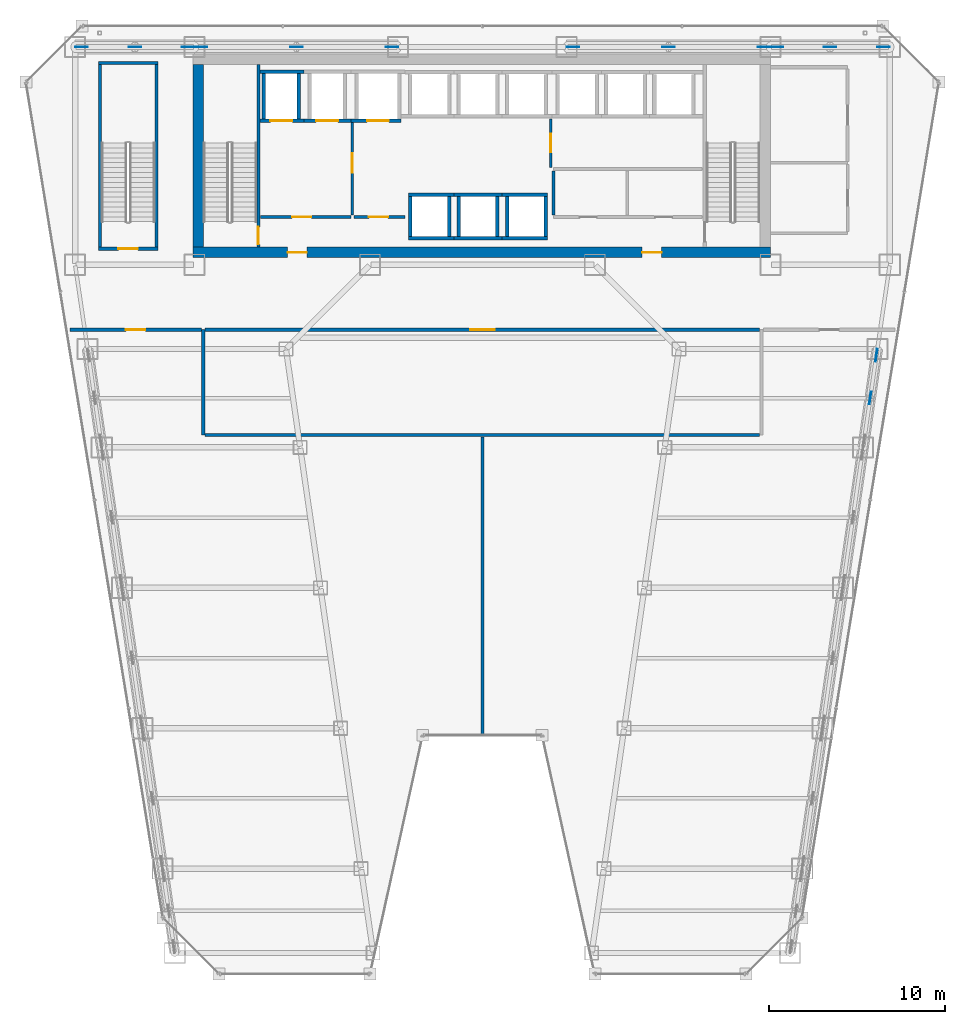
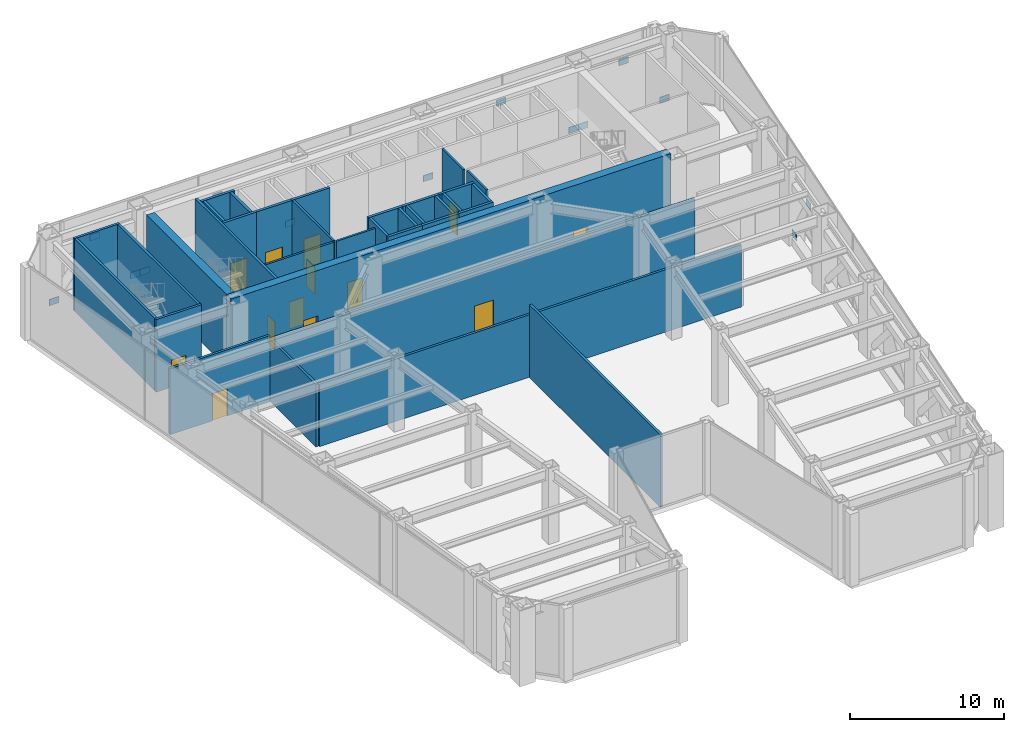
# One storey, part 30 of 35: 35 walls, 14 plates, 13 doors, 13 openings.
"""IFC4 building model written with IfcOpenShell, lengths in metres."""

from ifc_helpers import new_model, si_unit, direction, frame, frame_2d, origin, origin_2d, place, context, subcontext, project, spatial, rectangle, extrude, material, layer, layer_set, type_object, element, fill, save


model = new_model("IFC4")

# Units and contexts
model_context = context("Model", 3, precision=1e-05, world=origin(), true_north=direction((0.0, 1.0)))
body_context = subcontext(model_context, "Body", "Model", "MODEL_VIEW")
ifc_project = project(units=[si_unit("LENGTHUNIT", "METRE"), si_unit("AREAUNIT", "SQUARE_METRE"), si_unit("VOLUMEUNIT", "CUBIC_METRE"), si_unit("PLANEANGLEUNIT", "RADIAN"), si_unit("MASSUNIT", "GRAM", prefix="KILO")], contexts=[model_context])

# Site, building, storey
site_placement = place(None, origin())
site = spatial("IfcSite", under=ifc_project, at=site_placement, CompositionType="ELEMENT")
building_placement = place(site_placement, origin())
building = spatial("IfcBuilding", under=site, at=building_placement, Name="Saevonmaru Cultural Tower", CompositionType="ELEMENT")
storey_placement = place(building_placement, frame((0.0, 0.0, 86.800048828125)))
storey = spatial("IfcBuildingStorey", under=building, at=storey_placement, Name="L18", CompositionType="ELEMENT", Elevation=86.800048828125)

# Plates
ifc_material_1 = material(Name="Steel HSA600 (600 MPa)", Category="steel")
ifc_layer_1 = layer(ifc_material_1, 0.044921875, Name="Steel HSA600 (600 MPa)")
ifc_layer_set_1 = layer_set([ifc_layer_1], Name="Steel HSA600 (600 MPa)")
plate_type_1 = type_object("IfcPlateType", Name="PL-GUSSET-BELT", PredefinedType="USERDEFINED", material=ifc_layer_set_1)
for number, where, z_axis, x_axis, name in (
    (1, (52.44091796875, 37.243896484375, 0.300048828125), (0.0, 0.0, 1.0), (0.142974422091, 0.989726383718, 0.0), "L18 Truss Base Gusset Plate BE5-2"),
    (2, (52.0869140625, 34.800048828125, 4.349853515625), (0.0, 0.0, 1.0), (0.142974422091, 0.989726383718, 0.0), "L18 Truss Node Gusset Plate BE5"),
):
    element("IfcPlate", number, at=place(storey_placement, frame(where, z_axis=z_axis, x_axis=x_axis)), inside=storey, type_object=plate_type_1, Name=name, ObjectType="GUSSET_PLATE", PredefinedType="USERDEFINED", context=body_context, shape_type="SweptSolid", body=[
        extrude(rectangle(XDim=0.719970703125, YDim=0.044921875, at=origin_2d()), origin(), (0.0, 0.0, 1.0), 0.5),
    ])
ifc_layer_2 = layer(ifc_material_1, 0.044921875, Name="Steel HSA600 (600 MPa)")
ifc_layer_set_2 = layer_set([ifc_layer_2], Name="Steel HSA600 (600 MPa)")
plate_type_2 = type_object("IfcPlateType", Name="PL-GUSSET-INT", PredefinedType="USERDEFINED", material=ifc_layer_set_2)
for number, where, z_axis, x_axis, name in (
    (3, (13.9599609375, 54.800048828125, 0.300048828125), (0.0, 0.0, 1.0), (1.0, 0.0, 0.0), "L18 Truss Base Gusset Plate OW1-1"),
    (4, (24.840087890625, 54.800048828125, 0.300048828125), (0.0, 0.0, 1.0), (1.0, 0.0, 0.0), "L18 Truss Base Gusset Plate OW1-2"),
    (5, (19.39990234375, 54.800048828125, 4.349853515625), (0.0, 0.0, 1.0), (1.0, 0.0, 0.0), "L18 Truss Node Gusset Plate OW1"),
    (6, (35.159912109375, 54.800048828125, 0.300048828125), (0.0, 0.0, 1.0), (1.0, 0.0, 0.0), "L18 Truss Base Gusset Plate OE1-1"),
    (7, (46.0400390625, 54.800048828125, 0.300048828125), (0.0, 0.0, 1.0), (1.0, 0.0, 0.0), "L18 Truss Base Gusset Plate OE1-2"),
    (8, (40.60009765625, 54.800048828125, 4.349853515625), (0.0, 0.0, 1.0), (1.0, 0.0, 0.0), "L18 Truss Node Gusset Plate OE1"),
    (9, (7.159912109375, 54.800048828125, 0.300048828125), (0.0, 0.0, 1.0), (1.0, 0.0, 0.0), "L18 Truss Base Gusset Plate OW2-1"),
    (10, (13.239990234375, 54.800048828125, 0.300048828125), (0.0, 0.0, 1.0), (1.0, 0.0, 0.0), "L18 Truss Base Gusset Plate OW2-2"),
    (11, (10.199951171875, 54.800048828125, 4.349853515625), (0.0, 0.0, 1.0), (1.0, 0.0, 0.0), "L18 Truss Node Gusset Plate OW2"),
    (12, (46.760009765625, 54.800048828125, 0.300048828125), (0.0, 0.0, 1.0), (1.0, 0.0, 0.0), "L18 Truss Base Gusset Plate OE2-1"),
    (13, (52.840087890625, 54.800048828125, 0.300048828125), (0.0, 0.0, 1.0), (1.0, 0.0, 0.0), "L18 Truss Base Gusset Plate OE2-2"),
    (14, (49.800048828125, 54.800048828125, 4.349853515625), (0.0, 0.0, 1.0), (1.0, 0.0, 0.0), "L18 Truss Node Gusset Plate OE2"),
):
    element("IfcPlate", number, at=place(storey_placement, frame(where, z_axis=z_axis, x_axis=x_axis)), inside=storey, type_object=plate_type_2, Name=name, ObjectType="GUSSET_PLATE", PredefinedType="USERDEFINED", context=body_context, shape_type="SweptSolid", body=[
        extrude(rectangle(XDim=0.719970703125, YDim=0.044921875, at=origin_2d()), origin(), (0.0, 0.0, 1.0), 0.5),
    ])

# Wall, openings, doors
ifc_material_2 = material(Name="Concrete C60/75", Category="concrete")
ifc_layer_3 = layer(ifc_material_2, 0.60009765625, Name="Concrete C60/75")
ifc_layer_set_3 = layer_set([ifc_layer_3], Name="Concrete C60/75")
wall_type_1 = type_object("IfcWallType", Name="WL-CORE-600", PredefinedType="SHEAR", material=ifc_layer_set_3)
wall_1_placement = place(storey_placement, frame((13.5, 43.10009765625, 0.0), z_axis=(0.0, 0.0, 1.0), x_axis=(1.0, 0.0, 0.0)))
wall_1 = element("IfcWall", 15, at=wall_1_placement, inside=storey, type_object=wall_type_1, Name="L18 Tower RC core shear wall S", PredefinedType="SHEAR", context=body_context, shape_type="SweptSolid", body=[
    extrude(rectangle(XDim=32.89990234375, YDim=0.60009765625, at=frame_2d((16.449951171875, 0.0))), origin(), (0.0, 0.0, 1.0), 5.75),
])
opening_1_placement = place(wall_1_placement, frame((5.39990234375, 0.0, 0.0)))
opening_1 = element("IfcOpeningElement", 16, at=opening_1_placement, cuts=wall_1, Name="Opening FD-2", PredefinedType="OPENING", context=body_context, shape_type="SweptSolid", body=[
    extrude(rectangle(XDim=1.10009765625, YDim=2.14990234375, at=frame_2d((0.550048828125, 1.074951171875))), frame((0.0, 0.31005859375, 0.0), z_axis=(0.0, -1.0, 0.0), x_axis=(1.0, 0.0, 0.0)), (0.0, 0.0, 1.0), 0.6201171875),
])
opening_2_placement = place(wall_1_placement, frame((25.60009765625, 0.0, 0.0)))
opening_2 = element("IfcOpeningElement", 17, at=opening_2_placement, cuts=wall_1, Name="Opening FD-2", PredefinedType="OPENING", context=body_context, shape_type="SweptSolid", body=[
    extrude(rectangle(XDim=1.10009765625, YDim=2.14990234375, at=frame_2d((0.550048828125, 1.074951171875))), frame((0.0, 0.31005859375, 0.0), z_axis=(0.0, -1.0, 0.0), x_axis=(1.0, 0.0, 0.0)), (0.0, 0.0, 1.0), 0.6201171875),
])
ifc_material_3 = material(Name="Satin Bronze Anodised Aluminium", Category="aluminium")
door_type_1 = type_object("IfcDoorType", Name="DR-FD60-1100", OperationType="SINGLE_SWING_LEFT", PredefinedType="DOOR", material=ifc_material_3)
door_1_placement = place(opening_1_placement, origin())
door_1 = element("IfcDoor", 18, at=door_1_placement, inside=storey, type_object=door_type_1, Name="L18 Core West Lobby Fire Door", OperationType="SINGLE_SWING_LEFT", OverallHeight=2.14990234375, OverallWidth=1.10009765625, PredefinedType="DOOR", context=body_context, shape_type="SweptSolid", body=[
    extrude(rectangle(XDim=1.10009765625, YDim=2.14990234375, at=frame_2d((0.550048828125, 1.074951171875))), frame((0.0, 0.02490234375, 0.0), z_axis=(0.0, -1.0, 0.0), x_axis=(1.0, 0.0, 0.0)), (0.0, 0.0, 1.0), 0.050048828125),
])
fill(opening_1, door_1)
door_2_placement = place(opening_2_placement, origin())
door_2 = element("IfcDoor", 19, at=door_2_placement, inside=storey, type_object=door_type_1, Name="L18 Core East Lobby Fire Door", OperationType="SINGLE_SWING_LEFT", OverallHeight=2.14990234375, OverallWidth=1.10009765625, PredefinedType="DOOR", context=body_context, shape_type="SweptSolid", body=[
    extrude(rectangle(XDim=1.10009765625, YDim=2.14990234375, at=frame_2d((0.550048828125, 1.074951171875))), frame((0.0, 0.02490234375, 0.0), z_axis=(0.0, -1.0, 0.0), x_axis=(1.0, 0.0, 0.0)), (0.0, 0.0, 1.0), 0.050048828125),
])
fill(opening_2, door_2)

# Wall
wall_2_placement = place(storey_placement, frame((13.800048828125, 43.39990234375, 0.0), z_axis=(0.0, 0.0, 1.0), x_axis=(0.0, 1.0, 0.0)))
element("IfcWall", 20, at=wall_2_placement, inside=storey, type_object=wall_type_1, Name="L18 Tower RC core shear wall W", PredefinedType="SHEAR", context=body_context, shape_type="SweptSolid", body=[
    extrude(rectangle(XDim=10.400146484375, YDim=0.60009765625, at=frame_2d((5.2001953125, 0.0))), origin(), (0.0, 0.0, 1.0), 5.75),
])

# Wall, opening, door
ifc_material_4 = material(Name="Gypsum Fireboard Partition", Category="gypsum")
ifc_layer_4 = layer(ifc_material_4, 0.14990234375, Name="Gypsum Fireboard Partition")
ifc_layer_set_4 = layer_set([ifc_layer_4], Name="Gypsum Fireboard Partition")
wall_type_2 = type_object("IfcWallType", Name="WL-CORE-PART-150", PredefinedType="PARTITIONING", material=ifc_layer_set_4)
wall_3_placement = place(storey_placement, frame((17.360107421875, 45.1201171875, 0.0), z_axis=(0.0, 0.0, 1.0), x_axis=(1.0, 0.0, 0.0)))
wall_3 = element("IfcWall", 21, at=wall_3_placement, inside=storey, type_object=wall_type_2, Name="L18 Firefighting Lift Lobby South Wall", PredefinedType="PARTITIONING", context=body_context, shape_type="SweptSolid", body=[
    extrude(rectangle(XDim=5.139892578125, YDim=0.14990234375, at=frame_2d((2.56982421875, 0.0))), origin(), (0.0, 0.0, 1.0), 5.75),
])
opening_3_placement = place(wall_3_placement, frame((1.800048828125, 0.0, 0.0)))
opening_3 = element("IfcOpeningElement", 22, at=opening_3_placement, cuts=wall_3, Name="Opening FD-2", PredefinedType="OPENING", context=body_context, shape_type="SweptSolid", body=[
    extrude(rectangle(XDim=1.10009765625, YDim=2.14990234375, at=frame_2d((0.550048828125, 1.074951171875))), frame((0.0, 0.0849609375, 0.0), z_axis=(0.0, -1.0, 0.0), x_axis=(1.0, 0.0, 0.0)), (0.0, 0.0, 1.0), 0.169921875),
])
door_3_placement = place(opening_3_placement, origin())
door_3 = element("IfcDoor", 23, at=door_3_placement, inside=storey, type_object=door_type_1, Name="L18 Firefighting Lift Lobby South Door", OperationType="SINGLE_SWING_LEFT", OverallHeight=2.14990234375, OverallWidth=1.10009765625, PredefinedType="DOOR", context=body_context, shape_type="SweptSolid", body=[
    extrude(rectangle(XDim=1.10009765625, YDim=2.14990234375, at=frame_2d((0.550048828125, 1.074951171875))), frame((0.0, 0.02490234375, 0.0), z_axis=(0.0, -1.0, 0.0), x_axis=(1.0, 0.0, 0.0)), (0.0, 0.0, 1.0), 0.050048828125),
])
fill(opening_3, door_3)

wall_4_placement = place(storey_placement, frame((22.580078125, 50.550048828125, 0.0), z_axis=(0.0, 0.0, 1.0), x_axis=(0.0, -1.0, 0.0)))
wall_4 = element("IfcWall", 24, at=wall_4_placement, inside=storey, type_object=wall_type_2, Name="L18 Firefighting Lift Lobby East Wall", PredefinedType="PARTITIONING", context=body_context, shape_type="SweptSolid", body=[
    extrude(rectangle(XDim=5.330078125, YDim=0.14990234375, at=frame_2d((2.6650390625, 0.0))), origin(), (0.0, 0.0, 1.0), 5.75),
])
opening_4_placement = place(wall_4_placement, frame((1.800048828125, 0.0, 0.0)))
opening_4 = element("IfcOpeningElement", 25, at=opening_4_placement, cuts=wall_4, Name="Opening FD-2", PredefinedType="OPENING", context=body_context, shape_type="SweptSolid", body=[
    extrude(rectangle(XDim=1.10009765625, YDim=2.14990234375, at=frame_2d((0.550048828125, 1.074951171875))), frame((0.0, 0.0849609375, 0.0), z_axis=(0.0, -1.0, 0.0), x_axis=(1.0, 0.0, 0.0)), (0.0, 0.0, 1.0), 0.169921875),
])
door_4_placement = place(opening_4_placement, origin())
door_4 = element("IfcDoor", 26, at=door_4_placement, inside=storey, type_object=door_type_1, Name="L18 Firefighting Lift Lobby East Door", OperationType="SINGLE_SWING_LEFT", OverallHeight=2.14990234375, OverallWidth=1.10009765625, PredefinedType="DOOR", context=body_context, shape_type="SweptSolid", body=[
    extrude(rectangle(XDim=1.10009765625, YDim=2.14990234375, at=frame_2d((0.550048828125, 1.074951171875))), frame((0.0, 0.02490234375, 0.0), z_axis=(0.0, -1.0, 0.0), x_axis=(1.0, 0.0, 0.0)), (0.0, 0.0, 1.0), 0.050048828125),
])
fill(opening_4, door_4)

wall_5_placement = place(storey_placement, frame((22.679931640625, 45.1201171875, 0.0), z_axis=(0.0, 0.0, 1.0), x_axis=(1.0, 0.0, 0.0)))
wall_5 = element("IfcWall", 27, at=wall_5_placement, inside=storey, type_object=wall_type_2, Name="L18 Service Lift Vestibule Wall", PredefinedType="PARTITIONING", context=body_context, shape_type="SweptSolid", body=[
    extrude(rectangle(XDim=2.920166015625, YDim=0.14990234375, at=frame_2d((1.4599609375, 0.0))), origin(), (0.0, 0.0, 1.0), 5.75),
])
opening_5_placement = place(wall_5_placement, frame((0.85009765625, 0.0, 0.0)))
opening_5 = element("IfcOpeningElement", 28, at=opening_5_placement, cuts=wall_5, Name="Opening FD-2", PredefinedType="OPENING", context=body_context, shape_type="SweptSolid", body=[
    extrude(rectangle(XDim=1.10009765625, YDim=2.14990234375, at=frame_2d((0.550048828125, 1.074951171875))), frame((0.0, 0.0849609375, 0.0), z_axis=(0.0, -1.0, 0.0), x_axis=(1.0, 0.0, 0.0)), (0.0, 0.0, 1.0), 0.169921875),
])
door_5_placement = place(opening_5_placement, origin())
door_5 = element("IfcDoor", 29, at=door_5_placement, inside=storey, type_object=door_type_1, Name="L18 Service Lift Vestibule Door", OperationType="SINGLE_SWING_LEFT", OverallHeight=2.14990234375, OverallWidth=1.10009765625, PredefinedType="DOOR", context=body_context, shape_type="SweptSolid", body=[
    extrude(rectangle(XDim=1.10009765625, YDim=2.14990234375, at=frame_2d((0.550048828125, 1.074951171875))), frame((0.0, 0.02490234375, 0.0), z_axis=(0.0, -1.0, 0.0), x_axis=(1.0, 0.0, 0.0)), (0.0, 0.0, 1.0), 0.050048828125),
])
fill(opening_5, door_5)

wall_6_placement = place(storey_placement, frame((33.89990234375, 47.949951171875, 0.0), z_axis=(0.0, 0.0, 1.0), x_axis=(0.0, 1.0, 0.0)))
wall_6 = element("IfcWall", 30, at=wall_6_placement, inside=storey, type_object=wall_type_2, Name="L18 Zone Lobby Divider", PredefinedType="PARTITIONING", context=body_context, shape_type="SweptSolid", body=[
    extrude(rectangle(XDim=2.75, YDim=0.14990234375, at=frame_2d((1.375, 0.0))), origin(), (0.0, 0.0, 1.0), 5.75),
])
opening_6_placement = place(wall_6_placement, frame((0.85009765625, 0.0, 0.0)))
opening_6 = element("IfcOpeningElement", 31, at=opening_6_placement, cuts=wall_6, Name="Opening ID-1", PredefinedType="OPENING", context=body_context, shape_type="SweptSolid", body=[
    extrude(rectangle(XDim=1.050048828125, YDim=2.14990234375, at=frame_2d((0.52490234375, 1.074951171875))), frame((0.0, 0.0849609375, 0.0), z_axis=(0.0, -1.0, 0.0), x_axis=(1.0, 0.0, 0.0)), (0.0, 0.0, 1.0), 0.169921875),
])
door_type_2 = type_object("IfcDoorType", Name="DR-INT-1050", OperationType="SINGLE_SWING_LEFT", PredefinedType="DOOR", material=ifc_material_3)
door_6_placement = place(opening_6_placement, origin())
door_6 = element("IfcDoor", 32, at=door_6_placement, inside=storey, type_object=door_type_2, Name="L18 Inter-Lobby Link Door", OperationType="SINGLE_SWING_LEFT", OverallHeight=2.14990234375, OverallWidth=1.050048828125, PredefinedType="DOOR", context=body_context, shape_type="SweptSolid", body=[
    extrude(rectangle(XDim=1.050048828125, YDim=2.14990234375, at=frame_2d((0.52490234375, 1.074951171875))), frame((0.0, 0.02490234375, 0.0), z_axis=(0.0, -1.0, 0.0), x_axis=(1.0, 0.0, 0.0)), (0.0, 0.0, 1.0), 0.050048828125),
])
fill(opening_6, door_6)

# Walls
wall_7_placement = place(storey_placement, frame((34.050048828125, 45.219970703125, 0.0), z_axis=(0.0, 0.0, 1.0), x_axis=(0.0, 1.0, 0.0)))
element("IfcWall", 33, at=wall_7_placement, inside=storey, type_object=wall_type_2, Name="L18 Core Plant West Wall", PredefinedType="PARTITIONING", context=body_context, shape_type="SweptSolid", body=[
    extrude(rectangle(XDim=2.530029296875, YDim=0.14990234375, at=frame_2d((1.26513671875, 0.0))), origin(), (0.0, 0.0, 1.0), 5.75),
])
ifc_layer_5 = layer(ifc_material_4, 0.179931640625, Name="Gypsum Fireboard Partition")
ifc_layer_set_5 = layer_set([ifc_layer_5], Name="Gypsum Fireboard Partition")
wall_type_3 = type_object("IfcWallType", Name="WL-PART-PLANT-180", PredefinedType="PARTITIONING", material=ifc_layer_set_5)
wall_8_placement = place(storey_placement, frame((14.10009765625, 32.699951171875, 0.0), z_axis=(0.0, 0.0, 1.0), x_axis=(0.0, 1.0, 0.0)))
element("IfcWall", 34, at=wall_8_placement, inside=storey, type_object=wall_type_3, Name="L18 Main Refuge West Wall", PredefinedType="PARTITIONING", context=body_context, shape_type="SweptSolid", body=[
    extrude(rectangle(XDim=6.0, YDim=0.179931640625, at=frame_2d((3.0, 0.0))), origin(), (0.0, 0.0, 1.0), 4.93505859375),
])
wall_9_placement = place(storey_placement, frame((14.2099609375, 32.699951171875, 0.0), z_axis=(0.0, 0.0, 1.0), x_axis=(1.0, 0.0, 0.0)))
element("IfcWall", 35, at=wall_9_placement, inside=storey, type_object=wall_type_3, Name="L18 Main Refuge South Wall", PredefinedType="PARTITIONING", context=body_context, shape_type="SweptSolid", body=[
    extrude(rectangle(XDim=31.580078125, YDim=0.179931640625, at=frame_2d((15.7900390625, 0.0))), origin(), (0.0, 0.0, 1.0), 4.93505859375),
])

# Wall, opening, door
wall_10_placement = place(storey_placement, frame((14.2099609375, 38.699951171875, 0.0), z_axis=(0.0, 0.0, 1.0), x_axis=(1.0, 0.0, 0.0)))
wall_10 = element("IfcWall", 36, at=wall_10_placement, inside=storey, type_object=wall_type_3, Name="L18 Main Refuge Promenade Wall", PredefinedType="PARTITIONING", context=body_context, shape_type="SweptSolid", body=[
    extrude(rectangle(XDim=31.580078125, YDim=0.179931640625, at=frame_2d((15.7900390625, 0.0))), origin(), (0.0, 0.0, 1.0), 4.93505859375),
])
opening_7_placement = place(wall_10_placement, frame((15.090087890625, 0.0, 0.0)))
opening_7 = element("IfcOpeningElement", 37, at=opening_7_placement, cuts=wall_10, Name="Opening FD-0", PredefinedType="OPENING", context=body_context, shape_type="SweptSolid", body=[
    extrude(rectangle(XDim=1.39990234375, YDim=2.199951171875, at=frame_2d((0.699951171875, 1.10009765625))), frame((0.0, 0.10009765625, 0.0), z_axis=(0.0, -1.0, 0.0), x_axis=(1.0, 0.0, 0.0)), (0.0, 0.0, 1.0), 0.199951171875),
])
door_type_3 = type_object("IfcDoorType", Name="DR-FD60-1400", OperationType="DOUBLE_DOOR_SINGLE_SWING", PredefinedType="DOOR", material=ifc_material_3)
door_7_placement = place(opening_7_placement, origin())
door_7 = element("IfcDoor", 38, at=door_7_placement, inside=storey, type_object=door_type_3, Name="L18 Main Fire Safety Refuge Hall Door", OperationType="DOUBLE_DOOR_SINGLE_SWING", OverallHeight=2.199951171875, OverallWidth=1.39990234375, PredefinedType="DOOR", context=body_context, shape_type="SweptSolid", body=[
    extrude(rectangle(XDim=1.39990234375, YDim=2.199951171875, at=frame_2d((0.699951171875, 1.10009765625))), frame((0.0, 0.02490234375, 0.0), z_axis=(0.0, -1.0, 0.0), x_axis=(1.0, 0.0, 0.0)), (0.0, 0.0, 1.0), 0.050048828125),
])
fill(opening_7, door_7)

# Wall
wall_11_placement = place(storey_placement, frame((30.0, 15.60498046875, 0.0), z_axis=(0.0, 0.0, 1.0), x_axis=(0.0, 1.0, 0.0)))
element("IfcWall", 39, at=wall_11_placement, inside=storey, type_object=wall_type_3, Name="L18 Plant Compartment Split", PredefinedType="PARTITIONING", context=body_context, shape_type="SweptSolid", body=[
    extrude(rectangle(XDim=16.985107421875, YDim=0.179931640625, at=frame_2d((8.49267578125, 0.0))), origin(), (0.0, 0.0, 1.0), 5.75),
])

# Wall, opening, door
wall_12_placement = place(storey_placement, frame((6.498779296875, 38.699951171875, 0.0), z_axis=(0.0, 0.0, 1.0), x_axis=(1.0, 0.0, 0.0)))
wall_12 = element("IfcWall", 40, at=wall_12_placement, inside=storey, type_object=wall_type_3, Name="L18 West AHU Plant North Wall", PredefinedType="PARTITIONING", context=body_context, shape_type="SweptSolid", body=[
    extrude(rectangle(XDim=7.4912109375, YDim=0.179931640625, at=frame_2d((3.74560546875, 0.0))), origin(), (0.0, 0.0, 1.0), 5.23486328125),
])
opening_8_placement = place(wall_12_placement, frame((3.196044921875, 0.0, 0.0)))
opening_8 = element("IfcOpeningElement", 41, at=opening_8_placement, cuts=wall_12, Name="Opening FD-2", PredefinedType="OPENING", context=body_context, shape_type="SweptSolid", body=[
    extrude(rectangle(XDim=1.10009765625, YDim=2.14990234375, at=frame_2d((0.550048828125, 1.074951171875))), frame((0.0, 0.10009765625, 0.0), z_axis=(0.0, -1.0, 0.0), x_axis=(1.0, 0.0, 0.0)), (0.0, 0.0, 1.0), 0.199951171875),
])
door_8_placement = place(opening_8_placement, origin())
door_8 = element("IfcDoor", 42, at=door_8_placement, inside=storey, type_object=door_type_1, Name="L18 Primary AHU Plant Door", OperationType="SINGLE_SWING_LEFT", OverallHeight=2.14990234375, OverallWidth=1.10009765625, PredefinedType="DOOR", context=body_context, shape_type="SweptSolid", body=[
    extrude(rectangle(XDim=1.10009765625, YDim=2.14990234375, at=frame_2d((0.550048828125, 1.074951171875))), frame((0.0, 0.02490234375, 0.0), z_axis=(0.0, -1.0, 0.0), x_axis=(1.0, 0.0, 0.0)), (0.0, 0.0, 1.0), 0.050048828125),
])
fill(opening_8, door_8)

ifc_material_5 = material(Name="Concrete C40/50", Category="concrete")
ifc_layer_6 = layer(ifc_material_5, 0.199951171875, Name="Concrete C40/50")
ifc_layer_set_6 = layer_set([ifc_layer_6], Name="Concrete C40/50")
wall_type_4 = type_object("IfcWallType", Name="WL-SHAFT-200", PredefinedType="SHEAR", material=ifc_layer_set_6)
wall_13_placement = place(storey_placement, frame((17.330078125, 50.60009765625, 0.0), z_axis=(0.0, 0.0, 1.0), x_axis=(1.0, 0.0, 0.0)))
wall_13 = element("IfcWall", 43, at=wall_13_placement, inside=storey, type_object=wall_type_4, Name="L18 Lift FFL-1 Hoistway Wall S", PredefinedType="SHEAR", context=body_context, shape_type="SweptSolid", body=[
    extrude(rectangle(XDim=2.52001953125, YDim=0.199951171875, at=frame_2d((1.260009765625, 0.0))), origin(), (0.0, 0.0, 1.0), 5.75),
])
opening_9_placement = place(wall_13_placement, frame((0.594970703125, 0.0, 0.0)))
opening_9 = element("IfcOpeningElement", 44, at=opening_9_placement, cuts=wall_13, Name="Opening LD-2", PredefinedType="OPENING", context=body_context, shape_type="SweptSolid", body=[
    extrude(rectangle(XDim=1.25, YDim=2.300048828125, at=frame_2d((0.625, 1.14990234375))), frame((0.0, 0.10986328125, 0.0), z_axis=(0.0, -1.0, 0.0), x_axis=(1.0, 0.0, 0.0)), (0.0, 0.0, 1.0), 0.219970703125),
])
ifc_material_6 = material(Name="Stainless Steel 316", Category="steel")
door_type_4 = type_object("IfcDoorType", Name="DR-LIFT-1250", OperationType="SLIDING_TO_LEFT", PredefinedType="DOOR", material=ifc_material_6)
door_9_placement = place(opening_9_placement, origin())
door_9 = element("IfcDoor", 45, at=door_9_placement, inside=storey, type_object=door_type_4, Name="L18 Lift FFL-1 Sliding Landing Door", OperationType="SLIDING_TO_LEFT", OverallHeight=2.300048828125, OverallWidth=1.25, PredefinedType="DOOR", context=body_context, shape_type="SweptSolid", body=[
    extrude(rectangle(XDim=1.25, YDim=2.300048828125, at=frame_2d((0.625, 1.14990234375))), frame((0.0, 0.02490234375, 0.0), z_axis=(0.0, -1.0, 0.0), x_axis=(1.0, 0.0, 0.0)), (0.0, 0.0, 1.0), 0.050048828125),
])
fill(opening_9, door_9)

# Walls
wall_14_placement = place(storey_placement, frame((17.330078125, 53.39990234375, 0.0), z_axis=(0.0, 0.0, 1.0), x_axis=(1.0, 0.0, 0.0)))
element("IfcWall", 46, at=wall_14_placement, inside=storey, type_object=wall_type_4, Name="L18 Lift FFL-1 Hoistway Wall N", PredefinedType="SHEAR", context=body_context, shape_type="SweptSolid", body=[
    extrude(rectangle(XDim=2.52001953125, YDim=0.199951171875, at=frame_2d((1.260009765625, 0.0))), origin(), (0.0, 0.0, 1.0), 5.75),
])
for number, where, z_axis, x_axis, name in (
    (47, (17.550048828125, 50.699951171875, 0.0), (0.0, 0.0, 1.0), (0.0, 1.0, 0.0), "L18 Lift FFL-1 Hoistway Wall W"),
    (48, (19.550048828125, 50.699951171875, 0.0), (0.0, 0.0, 1.0), (0.0, 1.0, 0.0), "L18 Lift FFL-1 Hoistway Wall E"),
):
    element("IfcWall", number, at=place(storey_placement, frame(where, z_axis=z_axis, x_axis=x_axis)), inside=storey, type_object=wall_type_4, Name=name, PredefinedType="SHEAR", context=body_context, shape_type="SweptSolid", body=[
        extrude(rectangle(XDim=2.60009765625, YDim=0.199951171875, at=frame_2d((1.300048828125, 0.0))), origin(), (0.0, 0.0, 1.0), 5.75),
    ])

# Wall, opening, door
wall_15_placement = place(storey_placement, frame((19.85009765625, 50.60009765625, 0.0), z_axis=(0.0, 0.0, 1.0), x_axis=(1.0, 0.0, 0.0)))
wall_15 = element("IfcWall", 49, at=wall_15_placement, inside=storey, type_object=wall_type_4, Name="L18 Lift FFL-2 Hoistway Wall S", PredefinedType="SHEAR", context=body_context, shape_type="SweptSolid", body=[
    extrude(rectangle(XDim=2.64990234375, YDim=0.199951171875, at=frame_2d((1.324951171875, 0.0))), origin(), (0.0, 0.0, 1.0), 5.75),
])
opening_10_placement = place(wall_15_placement, frame((0.675048828125, 0.0, 0.0)))
opening_10 = element("IfcOpeningElement", 50, at=opening_10_placement, cuts=wall_15, Name="Opening LD-2", PredefinedType="OPENING", context=body_context, shape_type="SweptSolid", body=[
    extrude(rectangle(XDim=1.25, YDim=2.300048828125, at=frame_2d((0.625, 1.14990234375))), frame((0.0, 0.10986328125, 0.0), z_axis=(0.0, -1.0, 0.0), x_axis=(1.0, 0.0, 0.0)), (0.0, 0.0, 1.0), 0.219970703125),
])
door_10_placement = place(opening_10_placement, origin())
door_10 = element("IfcDoor", 51, at=door_10_placement, inside=storey, type_object=door_type_4, Name="L18 Lift FFL-2 Sliding Landing Door", OperationType="SLIDING_TO_LEFT", OverallHeight=2.300048828125, OverallWidth=1.25, PredefinedType="DOOR", context=body_context, shape_type="SweptSolid", body=[
    extrude(rectangle(XDim=1.25, YDim=2.300048828125, at=frame_2d((0.625, 1.14990234375))), frame((0.0, 0.02490234375, 0.0), z_axis=(0.0, -1.0, 0.0), x_axis=(1.0, 0.0, 0.0)), (0.0, 0.0, 1.0), 0.050048828125),
])
fill(opening_10, door_10)

wall_16_placement = place(storey_placement, frame((22.5, 50.60009765625, 0.0), z_axis=(0.0, 0.0, 1.0), x_axis=(1.0, 0.0, 0.0)))
wall_16 = element("IfcWall", 52, at=wall_16_placement, inside=storey, type_object=wall_type_4, Name="L18 Lift GL-1 Hoistway Wall S", PredefinedType="SHEAR", context=body_context, shape_type="SweptSolid", body=[
    extrude(rectangle(XDim=2.85009765625, YDim=0.199951171875, at=frame_2d((1.425048828125, 0.0))), origin(), (0.0, 0.0, 1.0), 5.75),
])
opening_11_placement = place(wall_16_placement, frame((0.925048828125, 0.0, 0.0)))
opening_11 = element("IfcOpeningElement", 53, at=opening_11_placement, cuts=wall_16, Name="Opening LD-2", PredefinedType="OPENING", context=body_context, shape_type="SweptSolid", body=[
    extrude(rectangle(XDim=1.25, YDim=2.300048828125, at=frame_2d((0.625, 1.14990234375))), frame((0.0, 0.10986328125, 0.0), z_axis=(0.0, -1.0, 0.0), x_axis=(1.0, 0.0, 0.0)), (0.0, 0.0, 1.0), 0.219970703125),
])
door_11_placement = place(opening_11_placement, origin())
door_11 = element("IfcDoor", 54, at=door_11_placement, inside=storey, type_object=door_type_4, Name="L18 Lift GL-1 Sliding Landing Door", OperationType="SLIDING_TO_LEFT", OverallHeight=2.300048828125, OverallWidth=1.25, PredefinedType="DOOR", context=body_context, shape_type="SweptSolid", body=[
    extrude(rectangle(XDim=1.25, YDim=2.300048828125, at=frame_2d((0.625, 1.14990234375))), frame((0.0, 0.02490234375, 0.0), z_axis=(0.0, -1.0, 0.0), x_axis=(1.0, 0.0, 0.0)), (0.0, 0.0, 1.0), 0.050048828125),
])
fill(opening_11, door_11)

# Walls
for number, where, z_axis, x_axis, name in (
    (55, (25.800048828125, 43.89990234375, 0.0), (0.0, 0.0, 1.0), (1.0, 0.0, 0.0), "L18 Lift PL-M1 Hoistway Wall S"),
    (56, (25.800048828125, 46.39990234375, 0.0), (0.0, 0.0, 1.0), (1.0, 0.0, 0.0), "L18 Lift PL-M1 Hoistway Wall N"),
):
    element("IfcWall", number, at=place(storey_placement, frame(where, z_axis=z_axis, x_axis=x_axis)), inside=storey, type_object=wall_type_4, Name=name, PredefinedType="SHEAR", context=body_context, shape_type="SweptSolid", body=[
        extrude(rectangle(XDim=2.574951171875, YDim=0.199951171875, at=frame_2d((1.28759765625, 0.0))), origin(), (0.0, 0.0, 1.0), 5.75),
    ])
for number, where, z_axis, x_axis, name in (
    (57, (25.89990234375, 44.0, 0.0), (0.0, 0.0, 1.0), (0.0, 1.0, 0.0), "L18 Lift PL-M1 Hoistway Wall W"),
    (58, (28.10009765625, 44.0, 0.0), (0.0, 0.0, 1.0), (0.0, 1.0, 0.0), "L18 Lift PL-M1 Hoistway Wall E"),
):
    element("IfcWall", number, at=place(storey_placement, frame(where, z_axis=z_axis, x_axis=x_axis)), inside=storey, type_object=wall_type_4, Name=name, PredefinedType="SHEAR", context=body_context, shape_type="SweptSolid", body=[
        extrude(rectangle(XDim=2.300048828125, YDim=0.199951171875, at=frame_2d((1.14990234375, 0.0))), origin(), (0.0, 0.0, 1.0), 5.75),
    ])
for number, where, z_axis, x_axis, name in (
    (59, (28.375, 43.89990234375, 0.0), (0.0, 0.0, 1.0), (1.0, 0.0, 0.0), "L18 Lift PL-M2 Hoistway Wall S"),
    (60, (28.375, 46.39990234375, 0.0), (0.0, 0.0, 1.0), (1.0, 0.0, 0.0), "L18 Lift PL-M2 Hoistway Wall N"),
):
    element("IfcWall", number, at=place(storey_placement, frame(where, z_axis=z_axis, x_axis=x_axis)), inside=storey, type_object=wall_type_4, Name=name, PredefinedType="SHEAR", context=body_context, shape_type="SweptSolid", body=[
        extrude(rectangle(XDim=2.75, YDim=0.199951171875, at=frame_2d((1.375, 0.0))), origin(), (0.0, 0.0, 1.0), 5.75),
    ])
for number, where, z_axis, x_axis, name in (
    (61, (28.64990234375, 44.0, 0.0), (0.0, 0.0, 1.0), (0.0, 1.0, 0.0), "L18 Lift PL-M2 Hoistway Wall W"),
    (62, (30.85009765625, 44.0, 0.0), (0.0, 0.0, 1.0), (0.0, 1.0, 0.0), "L18 Lift PL-M2 Hoistway Wall E"),
):
    element("IfcWall", number, at=place(storey_placement, frame(where, z_axis=z_axis, x_axis=x_axis)), inside=storey, type_object=wall_type_4, Name=name, PredefinedType="SHEAR", context=body_context, shape_type="SweptSolid", body=[
        extrude(rectangle(XDim=2.300048828125, YDim=0.199951171875, at=frame_2d((1.14990234375, 0.0))), origin(), (0.0, 0.0, 1.0), 5.75),
    ])
for number, where, z_axis, x_axis, name in (
    (63, (31.125, 43.89990234375, 0.0), (0.0, 0.0, 1.0), (1.0, 0.0, 0.0), "L18 Lift PL-M3 Hoistway Wall S"),
    (64, (31.125, 46.39990234375, 0.0), (0.0, 0.0, 1.0), (1.0, 0.0, 0.0), "L18 Lift PL-M3 Hoistway Wall N"),
):
    element("IfcWall", number, at=place(storey_placement, frame(where, z_axis=z_axis, x_axis=x_axis)), inside=storey, type_object=wall_type_4, Name=name, PredefinedType="SHEAR", context=body_context, shape_type="SweptSolid", body=[
        extrude(rectangle(XDim=2.574951171875, YDim=0.199951171875, at=frame_2d((1.28759765625, 0.0))), origin(), (0.0, 0.0, 1.0), 5.75),
    ])
for number, where, z_axis, x_axis, name in (
    (65, (31.39990234375, 44.0, 0.0), (0.0, 0.0, 1.0), (0.0, 1.0, 0.0), "L18 Lift PL-M3 Hoistway Wall W"),
    (66, (33.60009765625, 44.0, 0.0), (0.0, 0.0, 1.0), (0.0, 1.0, 0.0), "L18 Lift PL-M3 Hoistway Wall E"),
):
    element("IfcWall", number, at=place(storey_placement, frame(where, z_axis=z_axis, x_axis=x_axis)), inside=storey, type_object=wall_type_4, Name=name, PredefinedType="SHEAR", context=body_context, shape_type="SweptSolid", body=[
        extrude(rectangle(XDim=2.300048828125, YDim=0.199951171875, at=frame_2d((1.14990234375, 0.0))), origin(), (0.0, 0.0, 1.0), 5.75),
    ])

# Wall, opening, door
ifc_layer_7 = layer(ifc_material_5, 0.179931640625, Name="Concrete C40/50")
ifc_layer_set_7 = layer_set([ifc_layer_7], Name="Concrete C40/50")
wall_type_5 = type_object("IfcWallType", Name="WL-STSHAFT-180", PredefinedType="SHEAR", material=ifc_layer_set_7)
wall_17_placement = place(storey_placement, frame((17.239990234375, 43.39990234375, 0.0), z_axis=(0.0, 0.0, 1.0), x_axis=(0.0, 1.0, 0.0)))
wall_17 = element("IfcWall", 67, at=wall_17_placement, inside=storey, type_object=wall_type_5, Name="L18 Stair ST-1 Structural Shaft Wall 1", PredefinedType="SHEAR", context=body_context, shape_type="SweptSolid", body=[
    extrude(rectangle(XDim=10.400146484375, YDim=0.179931640625, at=frame_2d((5.2001953125, 0.0))), origin(), (0.0, 0.0, 1.0), 5.75),
])
opening_12_placement = place(wall_17_placement, frame((0.159912109375, 0.0, 0.0)))
opening_12 = element("IfcOpeningElement", 68, at=opening_12_placement, cuts=wall_17, Name="Opening FD-3", PredefinedType="OPENING", context=body_context, shape_type="SweptSolid", body=[
    extrude(rectangle(XDim=1.0, YDim=2.14990234375, at=frame_2d((0.5, 1.074951171875))), frame((0.0, 0.10009765625, 0.0), z_axis=(0.0, -1.0, 0.0), x_axis=(1.0, 0.0, 0.0)), (0.0, 0.0, 1.0), 0.199951171875),
])
door_type_5 = type_object("IfcDoorType", Name="DR-FD60-1000", OperationType="SINGLE_SWING_RIGHT", PredefinedType="DOOR", material=ifc_material_3)
door_12_placement = place(opening_12_placement, origin())
door_12 = element("IfcDoor", 69, at=door_12_placement, inside=storey, type_object=door_type_5, Name="L18 Protected Stair ST-1 Fire Door", OperationType="SINGLE_SWING_RIGHT", OverallHeight=2.14990234375, OverallWidth=1.0, PredefinedType="DOOR", context=body_context, shape_type="SweptSolid", body=[
    extrude(rectangle(XDim=1.0, YDim=2.14990234375, at=frame_2d((0.5, 1.074951171875))), frame((0.0, 0.02490234375, 0.0), z_axis=(0.0, -1.0, 0.0), x_axis=(1.0, 0.0, 0.0)), (0.0, 0.0, 1.0), 0.050048828125),
])
fill(opening_12, door_12)

wall_18_placement = place(storey_placement, frame((8.1201171875, 43.31005859375, 0.0), z_axis=(0.0, 0.0, 1.0), x_axis=(1.0, 0.0, 0.0)))
wall_18 = element("IfcWall", 70, at=wall_18_placement, inside=storey, type_object=wall_type_5, Name="L18 Stair ST-3 Structural Shaft Wall 1", PredefinedType="SHEAR", context=body_context, shape_type="SweptSolid", body=[
    extrude(rectangle(XDim=3.409912109375, YDim=0.179931640625, at=frame_2d((1.705078125, 0.0))), origin(), (0.0, 0.0, 1.0), 5.75),
])
opening_13_placement = place(wall_18_placement, frame((1.14990234375, 0.0, 0.0)))
opening_13 = element("IfcOpeningElement", 71, at=opening_13_placement, cuts=wall_18, Name="Opening FD-2", PredefinedType="OPENING", context=body_context, shape_type="SweptSolid", body=[
    extrude(rectangle(XDim=1.10009765625, YDim=2.14990234375, at=frame_2d((0.550048828125, 1.074951171875))), frame((0.0, 0.10009765625, 0.0), z_axis=(0.0, -1.0, 0.0), x_axis=(1.0, 0.0, 0.0)), (0.0, 0.0, 1.0), 0.199951171875),
])
door_13_placement = place(opening_13_placement, origin())
door_13 = element("IfcDoor", 72, at=door_13_placement, inside=storey, type_object=door_type_1, Name="L18 Protected Stair ST-3 Fire Door", OperationType="SINGLE_SWING_LEFT", OverallHeight=2.14990234375, OverallWidth=1.10009765625, PredefinedType="DOOR", context=body_context, shape_type="SweptSolid", body=[
    extrude(rectangle(XDim=1.10009765625, YDim=2.14990234375, at=frame_2d((0.550048828125, 1.074951171875))), frame((0.0, 0.02490234375, 0.0), z_axis=(0.0, -1.0, 0.0), x_axis=(1.0, 0.0, 0.0)), (0.0, 0.0, 1.0), 0.050048828125),
])
fill(opening_13, door_13)

# Walls
wall_19_placement = place(storey_placement, frame((11.43994140625, 43.39990234375, 0.0), z_axis=(0.0, 0.0, 1.0), x_axis=(0.0, 1.0, 0.0)))
element("IfcWall", 73, at=wall_19_placement, inside=storey, type_object=wall_type_5, Name="L18 Stair ST-3 Structural Shaft Wall 2", PredefinedType="SHEAR", context=body_context, shape_type="SweptSolid", body=[
    extrude(rectangle(XDim=10.400146484375, YDim=0.179931640625, at=frame_2d((5.2001953125, 0.0))), origin(), (0.0, 0.0, 1.0), 5.75),
])
wall_20_placement = place(storey_placement, frame((11.530029296875, 53.889892578125, 0.0), z_axis=(0.0, 0.0, 1.0), x_axis=(-1.0, 0.0, 0.0)))
element("IfcWall", 74, at=wall_20_placement, inside=storey, type_object=wall_type_5, Name="L18 Stair ST-3 Structural Shaft Wall 3", PredefinedType="SHEAR", context=body_context, shape_type="SweptSolid", body=[
    extrude(rectangle(XDim=3.409912109375, YDim=0.179931640625, at=frame_2d((1.705078125, 0.0))), origin(), (0.0, 0.0, 1.0), 5.75),
])
wall_21_placement = place(storey_placement, frame((8.2099609375, 53.800048828125, 0.0), z_axis=(0.0, 0.0, 1.0), x_axis=(0.0, -1.0, 0.0)))
element("IfcWall", 75, at=wall_21_placement, inside=storey, type_object=wall_type_5, Name="L18 Stair ST-3 Structural Shaft Wall 4", PredefinedType="SHEAR", context=body_context, shape_type="SweptSolid", body=[
    extrude(rectangle(XDim=10.400146484375, YDim=0.179931640625, at=frame_2d((5.2001953125, 0.0))), origin(), (0.0, 0.0, 1.0), 5.75),
])

save(model, "model.ifc")
